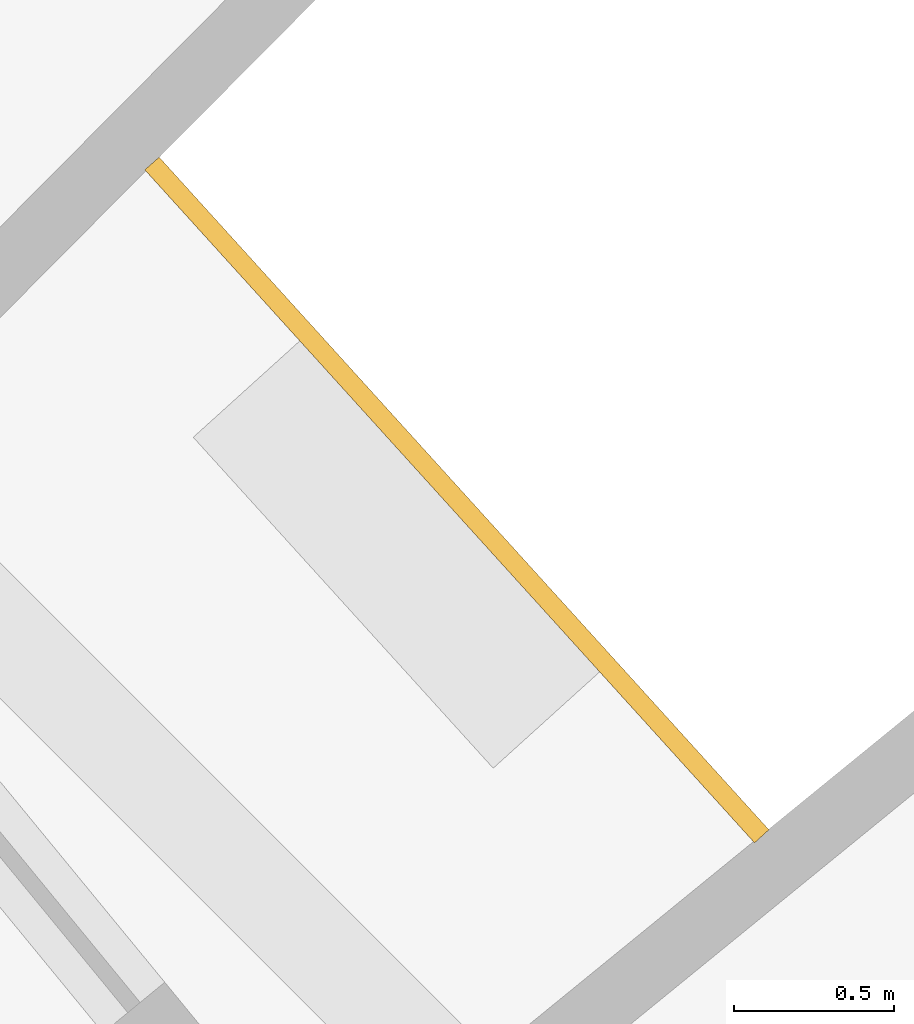
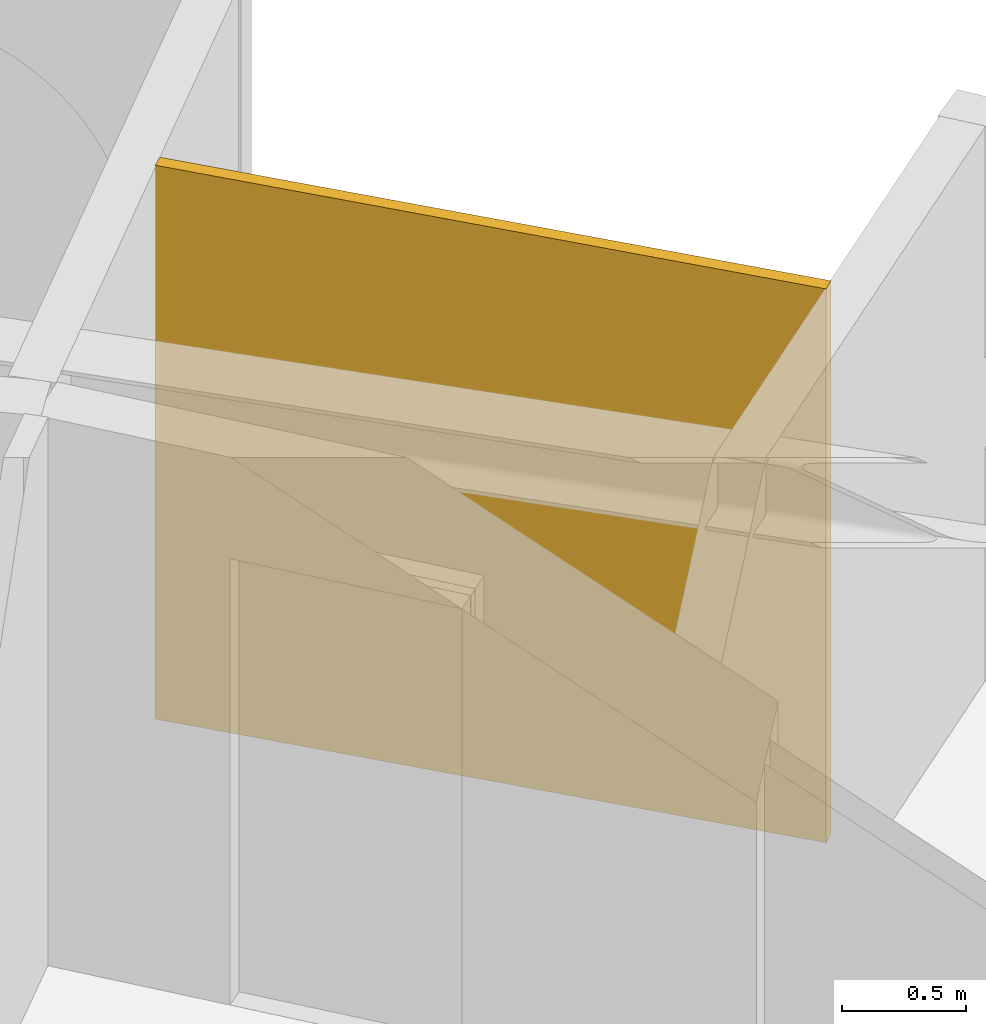
# One storey, part 29 of 29: 1 railing.
"""IFC4 building model written with IfcOpenShell, lengths in metres."""

from ifc_helpers import new_model, si_unit, direction, frame, origin, place, context, subcontext, project, spatial, polyline, outline, extrude, material, layer, layer_set, type_object, element, save


model = new_model("IFC4")

# Units and contexts
model_context = context("Model", 3, precision=1e-05, world=origin(), true_north=direction((0.0, 1.0)))
body_context = subcontext(model_context, "Body", "Model", "MODEL_VIEW")
ifc_project = project(units=[si_unit("LENGTHUNIT", "METRE"), si_unit("AREAUNIT", "SQUARE_METRE"), si_unit("VOLUMEUNIT", "CUBIC_METRE"), si_unit("PLANEANGLEUNIT", "RADIAN"), si_unit("MASSUNIT", "GRAM", prefix="KILO")], contexts=[model_context])

# Site, building, storey
site_placement = place(None, origin())
site = spatial("IfcSite", under=ifc_project, at=site_placement, CompositionType="ELEMENT")
building_placement = place(site_placement, origin())
building = spatial("IfcBuilding", under=site, at=building_placement, Name="Maasbend Ring Residences", CompositionType="ELEMENT")
storey_placement = place(building_placement, frame((0.0, 0.0, 202.39990234375)))
storey = spatial("IfcBuildingStorey", under=building, at=storey_placement, Name="L58", CompositionType="ELEMENT", Elevation=202.39990234375)

# Railing
ifc_material = material(Name="Pale anodised perforated aluminium", Category="aluminium")
ifc_layer = layer(ifc_material, 0.06005859375)
ifc_layer_set = layer_set([ifc_layer], Name="SCREEN-P")
railing_type = type_object("IfcRailingType", Name="SCREEN-P", PredefinedType="GUARDRAIL", material=ifc_layer_set)
railing_placement = place(storey_placement, frame((0.0, 0.0, -0.02978515625)))
element("IfcRailing", 1, at=railing_placement, inside=storey, type_object=railing_type, Name="Perforated screen guard 1", PredefinedType="GUARDRAIL", context=body_context, shape_type="SweptSolid", body=[
    extrude(outline(polyline([(22.4169921875, 18.39697265625), (20.506103515625, 20.506103515625), (20.551025390625, 20.5458984375), (22.4619140625, 18.43798828125), (22.4169921875, 18.39697265625)])), origin(), (0.0, 0.0, 1.0), 2.72998046875),
])

save(model, "model.ifc")
